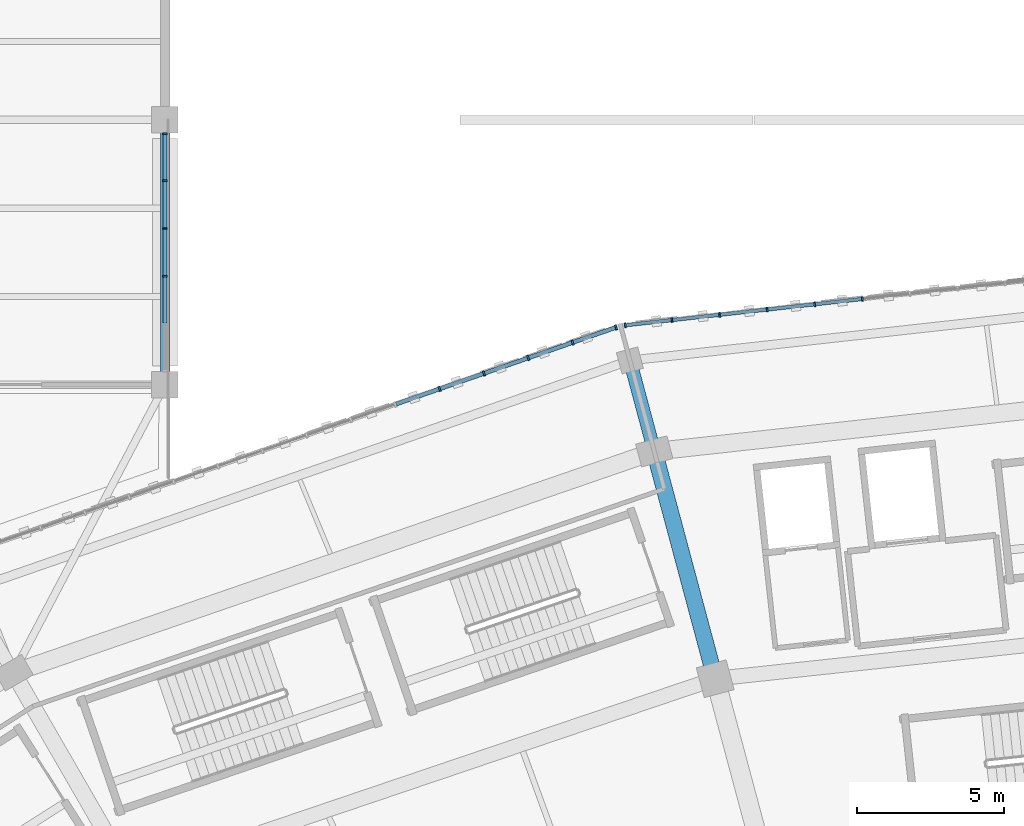
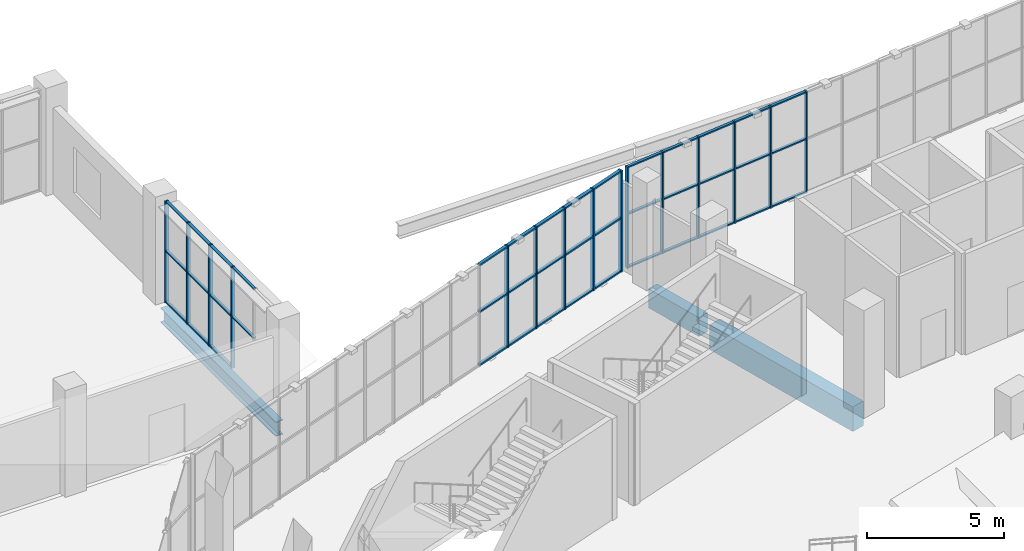
# One storey, part 56 of 183: 56 members, 3 beams, 3 elements without a shape of their own.
"""IFC4 building model written with IfcOpenShell, lengths in metres."""

from ifc_helpers import new_model, si_unit, direction, frame, origin, origin_2d, place, context, subcontext, project, spatial, rectangle, i_section, extrude, material, material_profile, profile_set, type_object, element, aggregate, save


model = new_model("IFC4")

# Units and contexts
model_context = context("Model", 3, precision=1e-05, world=origin(), true_north=direction((0.0, 1.0)))
body_context = subcontext(model_context, "Body", "Model", "MODEL_VIEW")
ifc_project = project(units=[si_unit("LENGTHUNIT", "METRE"), si_unit("AREAUNIT", "SQUARE_METRE"), si_unit("VOLUMEUNIT", "CUBIC_METRE"), si_unit("PLANEANGLEUNIT", "RADIAN"), si_unit("MASSUNIT", "GRAM", prefix="KILO")], contexts=[model_context])

# Site, building, storey
site_placement = place(None, origin())
site = spatial("IfcSite", under=ifc_project, at=site_placement, CompositionType="ELEMENT")
building_placement = place(site_placement, origin())
building = spatial("IfcBuilding", under=site, at=building_placement, Name="Zevraka Park Crest Stadium", CompositionType="ELEMENT")
storey_placement = place(building_placement, frame((0.0, 0.0, 5.39990234375)))
storey = spatial("IfcBuildingStorey", under=building, at=storey_placement, Name="L01", CompositionType="ELEMENT", Elevation=5.39990234375)

# Beams
ifc_material_1 = material(Name="Concrete C40/50", Category="concrete")
ifc_material_profile_1 = material_profile(ifc_material_1, rectangle(XDim=0.550048828125, YDim=1.10009765625, at=origin_2d()), Name="RC 1100x550")
ifc_profile_set_1 = profile_set([ifc_material_profile_1], Name="Concrete C40/50")
beam_type_1 = type_object("IfcBeamType", Name="BG02", PredefinedType="BEAM", material=ifc_profile_set_1)
beam_1_placement = place(storey_placement, frame((90.62109375, 157.297119140625, -0.559814453125), z_axis=(-0.258697599806, 0.965958359276, 0.0), x_axis=(-0.965958359276, -0.258697599806, 0.0)))
element("IfcBeam", 1, at=beam_1_placement, inside=storey, type_object=beam_type_1, Name="Radial Girder BG02 L01-CD-07", PredefinedType="BEAM", context=body_context, shape_type="SweptSolid", body=[
    extrude(rectangle(XDim=0.550048828125, YDim=1.10009765625, at=origin_2d()), origin(), (0.0, 0.0, 1.0), 7.39892578125),
])
ifc_material_2 = material(Name="Concrete C40/50", Category="concrete")
ifc_material_profile_2 = material_profile(ifc_material_2, rectangle(XDim=0.449951171875, YDim=0.85009765625, at=origin_2d()), Name="RC 850x450")
ifc_profile_set_2 = profile_set([ifc_material_profile_2], Name="Concrete C40/50")
beam_type_2 = type_object("IfcBeamType", Name="BG03", PredefinedType="BEAM", material=ifc_profile_set_2)
beam_2_placement = place(storey_placement, frame((88.551025390625, 165.02392578125, -0.434814453125), z_axis=(-0.258919157159, 0.965898995784, 0.0), x_axis=(-0.965898995784, -0.258919157159, 0.0)))
element("IfcBeam", 2, at=beam_2_placement, inside=storey, type_object=beam_type_2, Name="Radial Girder BG03 L01-DE-07", PredefinedType="BEAM", context=body_context, shape_type="SweptSolid", body=[
    extrude(rectangle(XDim=0.449951171875, YDim=0.85009765625, at=origin_2d()), origin(), (0.0, 0.0, 1.0), 2.599609375),
])
ifc_material_3 = material(Name="Steel S355", Category="steel")
ifc_material_profile_3 = material_profile(ifc_material_3, i_section(OverallWidth=0.300048828125, OverallDepth=0.64990234375, WebThickness=0.01611328125, FlangeThickness=0.031005859375, at=origin_2d()), Name="HEB 650")
ifc_profile_set_3 = profile_set([ifc_material_profile_3], Name="Steel S355")
beam_type_3 = type_object("IfcBeamType", Name="BG07", PredefinedType="BEAM", material=ifc_profile_set_3)
beam_3_placement = place(storey_placement, frame((72.0, 167.300048828125, -0.6328125), z_axis=(0.0, 1.0, 0.0), x_axis=(-1.0, 0.0, 0.0)))
element("IfcBeam", 3, at=beam_3_placement, inside=storey, type_object=beam_type_3, Name="Wing Girder BG07 L01-9/UV", PredefinedType="BEAM", context=body_context, shape_type="SweptSolid", body=[
    extrude(i_section(OverallWidth=0.300048828125, OverallDepth=0.64990234375, WebThickness=0.01611328125, FlangeThickness=0.031005859375, at=origin_2d()), origin(), (0.0, 0.0, 1.0), 8.39990234375),
])

# Curtain wall, members
ifc_material_4 = material(Name="Anodised architectural aluminium and laminated safety glass", Category="aluminium")
curtain_wall_type_1 = type_object("IfcCurtainWallType", Name="CW01", PredefinedType="NOTDEFINED", material=ifc_material_4)
curtain_wall_1_placement = place(storey_placement, origin())
curtain_wall_1 = element("IfcCurtainWall", 4, at=curtain_wall_1_placement, inside=storey, type_object=curtain_wall_type_1, Name="Unitised Ring Curtain Wall CW01 L01-06", PredefinedType="NOTDEFINED")
ifc_material_5 = material(Name="Anodised architectural aluminium", Category="aluminium")
ifc_material_profile_4 = material_profile(ifc_material_5, rectangle(XDim=0.159912109375, YDim=0.06005859375, at=origin_2d()), Name="ALU MULLION 160x60")
ifc_profile_set_4 = profile_set([ifc_material_profile_4], Name="Anodised architectural aluminium")
member_type_1 = type_object("IfcMemberType", Name="CM01", PredefinedType="MULLION", material=ifc_profile_set_4)
member_1_placement = place(storey_placement, frame((95.697998046875, 169.9130859375, 0.0), z_axis=(0.0, 0.0, 1.0), x_axis=(0.110134718639, -0.993916668414, 0.0)))
member_1 = element("IfcMember", 5, at=member_1_placement, type_object=member_type_1, Name="CW01 mullion 11", PredefinedType="MULLION", context=body_context, shape_type="SweptSolid", body=[
    extrude(rectangle(XDim=0.159912109375, YDim=0.06005859375, at=origin_2d()), origin(), (0.0, 0.0, 1.0), 4.52001953125),
])
member_2_placement = place(storey_placement, frame((94.080810546875, 169.73388671875, 0.0), z_axis=(0.0, 0.0, 1.0), x_axis=(0.110134718639, -0.993916668414, 0.0)))
member_2 = element("IfcMember", 6, at=member_2_placement, type_object=member_type_1, Name="CW01 mullion 12", PredefinedType="MULLION", context=body_context, shape_type="SweptSolid", body=[
    extrude(rectangle(XDim=0.159912109375, YDim=0.06005859375, at=origin_2d()), origin(), (0.0, 0.0, 1.0), 4.52001953125),
])
member_3_placement = place(storey_placement, frame((92.463623046875, 169.5546875, 0.0), z_axis=(0.0, 0.0, 1.0), x_axis=(0.110134718639, -0.993916668414, 0.0)))
member_3 = element("IfcMember", 7, at=member_3_placement, type_object=member_type_1, Name="CW01 mullion 13", PredefinedType="MULLION", context=body_context, shape_type="SweptSolid", body=[
    extrude(rectangle(XDim=0.159912109375, YDim=0.06005859375, at=origin_2d()), origin(), (0.0, 0.0, 1.0), 4.52001953125),
])
member_4_placement = place(storey_placement, frame((90.846435546875, 169.37548828125, 0.0), z_axis=(0.0, 0.0, 1.0), x_axis=(0.110134718639, -0.993916668414, 0.0)))
member_4 = element("IfcMember", 8, at=member_4_placement, type_object=member_type_1, Name="CW01 mullion 14", PredefinedType="MULLION", context=body_context, shape_type="SweptSolid", body=[
    extrude(rectangle(XDim=0.159912109375, YDim=0.06005859375, at=origin_2d()), origin(), (0.0, 0.0, 1.0), 4.52001953125),
])
member_5_placement = place(storey_placement, frame((89.229248046875, 169.1962890625, 0.0), z_axis=(0.0, 0.0, 1.0), x_axis=(0.110134718639, -0.993916668414, 0.0)))
member_5 = element("IfcMember", 9, at=member_5_placement, type_object=member_type_1, Name="CW01 mullion 15", PredefinedType="MULLION", context=body_context, shape_type="SweptSolid", body=[
    extrude(rectangle(XDim=0.159912109375, YDim=0.06005859375, at=origin_2d()), origin(), (0.0, 0.0, 1.0), 4.52001953125),
])
member_6_placement = place(storey_placement, frame((87.641845703125, 169.020263671875, 0.0), z_axis=(0.0, 0.0, 1.0), x_axis=(0.110134718639, -0.993916668414, 0.0)))
member_6 = element("IfcMember", 10, at=member_6_placement, type_object=member_type_1, Name="CW01 mullion 16", PredefinedType="MULLION", context=body_context, shape_type="SweptSolid", body=[
    extrude(rectangle(XDim=0.159912109375, YDim=0.06005859375, at=origin_2d()), origin(), (0.0, 0.0, 1.0), 4.52001953125),
])

ifc_material_6 = material(Name="Anodised architectural aluminium and laminated safety glass", Category="aluminium")
curtain_wall_type_2 = type_object("IfcCurtainWallType", Name="CW28", PredefinedType="NOTDEFINED", material=ifc_material_6)
curtain_wall_2_placement = place(storey_placement, origin())
curtain_wall_2 = element("IfcCurtainWall", 11, at=curtain_wall_2_placement, inside=storey, type_object=curtain_wall_type_2, Name="Wing Curtain Wall CW28 L01-NW-E1-2", PredefinedType="NOTDEFINED")
member_7_placement = place(storey_placement, frame((72.0, 175.530029296875, 0.0), z_axis=(0.0, 0.0, 1.0), x_axis=(1.0, 0.0, 0.0)))
member_7 = element("IfcMember", 12, at=member_7_placement, type_object=member_type_1, Name="CW28 mullion 1", PredefinedType="MULLION", context=body_context, shape_type="SweptSolid", body=[
    extrude(rectangle(XDim=0.159912109375, YDim=0.06005859375, at=origin_2d()), origin(), (0.0, 0.0, 1.0), 4.52001953125),
])
member_8_placement = place(storey_placement, frame((72.0, 173.93603515625, 0.0), z_axis=(0.0, 0.0, 1.0), x_axis=(1.0, 0.0, 0.0)))
member_8 = element("IfcMember", 13, at=member_8_placement, type_object=member_type_1, Name="CW28 mullion 2", PredefinedType="MULLION", context=body_context, shape_type="SweptSolid", body=[
    extrude(rectangle(XDim=0.159912109375, YDim=0.06005859375, at=origin_2d()), origin(), (0.0, 0.0, 1.0), 4.52001953125),
])
member_9_placement = place(storey_placement, frame((72.0, 172.31201171875, 0.0), z_axis=(0.0, 0.0, 1.0), x_axis=(1.0, 0.0, 0.0)))
member_9 = element("IfcMember", 14, at=member_9_placement, type_object=member_type_1, Name="CW28 mullion 3", PredefinedType="MULLION", context=body_context, shape_type="SweptSolid", body=[
    extrude(rectangle(XDim=0.159912109375, YDim=0.06005859375, at=origin_2d()), origin(), (0.0, 0.0, 1.0), 4.52001953125),
])
member_10_placement = place(storey_placement, frame((72.0, 170.68798828125, 0.0), z_axis=(0.0, 0.0, 1.0), x_axis=(1.0, 0.0, 0.0)))
member_10 = element("IfcMember", 15, at=member_10_placement, type_object=member_type_1, Name="CW28 mullion 4", PredefinedType="MULLION", context=body_context, shape_type="SweptSolid", body=[
    extrude(rectangle(XDim=0.159912109375, YDim=0.06005859375, at=origin_2d()), origin(), (0.0, 0.0, 1.0), 4.52001953125),
])

ifc_material_7 = material(Name="Anodised architectural aluminium and laminated safety glass", Category="aluminium")
curtain_wall_type_3 = type_object("IfcCurtainWallType", Name="CW02", PredefinedType="NOTDEFINED", material=ifc_material_7)
curtain_wall_3_placement = place(storey_placement, origin())
curtain_wall_3 = element("IfcCurtainWall", 16, at=curtain_wall_3_placement, inside=storey, type_object=curtain_wall_type_3, Name="Unitised Ring Curtain Wall CW02 L01-07", PredefinedType="NOTDEFINED")
ifc_material_8 = material(Name="Anodised architectural aluminium", Category="aluminium")
ifc_material_profile_5 = material_profile(ifc_material_8, rectangle(XDim=0.179931640625, YDim=0.06494140625, at=origin_2d()), Name="ALU MULLION 180x65")
ifc_profile_set_5 = profile_set([ifc_material_profile_5], Name="Anodised architectural aluminium")
member_type_2 = type_object("IfcMemberType", Name="CM02", PredefinedType="MULLION", material=ifc_profile_set_5)
member_11_placement = place(storey_placement, frame((87.327392578125, 168.9482421875, 0.0), z_axis=(0.0, 0.0, 1.0), x_axis=(0.329209289879, -0.944256979565, 0.0)))
member_11 = element("IfcMember", 17, at=member_11_placement, type_object=member_type_2, Name="CW02 mullion 1", PredefinedType="MULLION", context=body_context, shape_type="SweptSolid", body=[
    extrude(rectangle(XDim=0.179931640625, YDim=0.06494140625, at=origin_2d()), origin(), (0.0, 0.0, 1.0), 4.52001953125),
])
member_12_placement = place(storey_placement, frame((85.851318359375, 168.433837890625, 0.0), z_axis=(0.0, 0.0, 1.0), x_axis=(0.329209289879, -0.944256979565, 0.0)))
member_12 = element("IfcMember", 18, at=member_12_placement, type_object=member_type_2, Name="CW02 mullion 2", PredefinedType="MULLION", context=body_context, shape_type="SweptSolid", body=[
    extrude(rectangle(XDim=0.179931640625, YDim=0.06494140625, at=origin_2d()), origin(), (0.0, 0.0, 1.0), 4.52001953125),
])
member_13_placement = place(storey_placement, frame((84.3447265625, 167.908447265625, 0.0), z_axis=(0.0, 0.0, 1.0), x_axis=(0.329209289879, -0.944256979565, 0.0)))
member_13 = element("IfcMember", 19, at=member_13_placement, type_object=member_type_2, Name="CW02 mullion 3", PredefinedType="MULLION", context=body_context, shape_type="SweptSolid", body=[
    extrude(rectangle(XDim=0.179931640625, YDim=0.06494140625, at=origin_2d()), origin(), (0.0, 0.0, 1.0), 4.52001953125),
])
member_14_placement = place(storey_placement, frame((82.838134765625, 167.38330078125, 0.0), z_axis=(0.0, 0.0, 1.0), x_axis=(0.329209289879, -0.944256979565, 0.0)))
member_14 = element("IfcMember", 20, at=member_14_placement, type_object=member_type_2, Name="CW02 mullion 4", PredefinedType="MULLION", context=body_context, shape_type="SweptSolid", body=[
    extrude(rectangle(XDim=0.179931640625, YDim=0.06494140625, at=origin_2d()), origin(), (0.0, 0.0, 1.0), 4.52001953125),
])
member_15_placement = place(storey_placement, frame((81.33154296875, 166.85791015625, 0.0), z_axis=(0.0, 0.0, 1.0), x_axis=(0.329209289879, -0.944256979565, 0.0)))
member_15 = element("IfcMember", 21, at=member_15_placement, type_object=member_type_2, Name="CW02 mullion 5", PredefinedType="MULLION", context=body_context, shape_type="SweptSolid", body=[
    extrude(rectangle(XDim=0.179931640625, YDim=0.06494140625, at=origin_2d()), origin(), (0.0, 0.0, 1.0), 4.52001953125),
])

# Member
ifc_material_9 = material(Name="Anodised architectural aluminium", Category="aluminium")
ifc_material_profile_6 = material_profile(ifc_material_9, rectangle(XDim=0.1201171875, YDim=0.06005859375, at=origin_2d()), Name="ALU TRANSOM 120x60")
ifc_profile_set_6 = profile_set([ifc_material_profile_6], Name="Anodised architectural aluminium")
member_type_3 = type_object("IfcMemberType", Name="CT01", PredefinedType="USERDEFINED", material=ifc_profile_set_6)
member_16_placement = place(storey_placement, frame((95.668212890625, 169.90966796875, 0.030029296875), z_axis=(-0.993915989308, -0.110140847091, 0.0), x_axis=(0.110140847091, -0.993915989308, 0.0)))
member_16 = element("IfcMember", 22, at=member_16_placement, type_object=member_type_3, Name="CW01 transom 11.1", ObjectType="TRANSOM", PredefinedType="USERDEFINED", context=body_context, shape_type="SweptSolid", body=[
    extrude(rectangle(XDim=0.1201171875, YDim=0.06005859375, at=origin_2d()), origin(), (0.0, 0.0, 1.0), 1.567138671875),
])

member_17_placement = place(storey_placement, frame((95.668212890625, 169.90966796875, 2.400146484375), z_axis=(-0.993915989308, -0.110140847091, 0.0), x_axis=(0.110140847091, -0.993915989308, 0.0)))
member_17 = element("IfcMember", 23, at=member_17_placement, type_object=member_type_3, Name="CW01 transom 11.2", ObjectType="TRANSOM", PredefinedType="USERDEFINED", context=body_context, shape_type="SweptSolid", body=[
    extrude(rectangle(XDim=0.1201171875, YDim=0.06005859375, at=origin_2d()), origin(), (0.0, 0.0, 1.0), 1.567138671875),
])

member_18_placement = place(storey_placement, frame((95.668212890625, 169.90966796875, 4.489990234375), z_axis=(-0.993915989308, -0.110140847091, 0.0), x_axis=(0.110140847091, -0.993915989308, 0.0)))
member_18 = element("IfcMember", 24, at=member_18_placement, type_object=member_type_3, Name="CW01 transom 11.3", ObjectType="TRANSOM", PredefinedType="USERDEFINED", context=body_context, shape_type="SweptSolid", body=[
    extrude(rectangle(XDim=0.1201171875, YDim=0.06005859375, at=origin_2d()), origin(), (0.0, 0.0, 1.0), 1.567138671875),
])

member_19_placement = place(storey_placement, frame((94.051025390625, 169.73046875, 0.030029296875), z_axis=(-0.993915989308, -0.110140847091, 0.0), x_axis=(0.110140847091, -0.993915989308, 0.0)))
member_19 = element("IfcMember", 25, at=member_19_placement, type_object=member_type_3, Name="CW01 transom 12.1", ObjectType="TRANSOM", PredefinedType="USERDEFINED", context=body_context, shape_type="SweptSolid", body=[
    extrude(rectangle(XDim=0.1201171875, YDim=0.06005859375, at=origin_2d()), origin(), (0.0, 0.0, 1.0), 1.567138671875),
])

member_20_placement = place(storey_placement, frame((94.051025390625, 169.73046875, 2.400146484375), z_axis=(-0.993915989308, -0.110140847091, 0.0), x_axis=(0.110140847091, -0.993915989308, 0.0)))
member_20 = element("IfcMember", 26, at=member_20_placement, type_object=member_type_3, Name="CW01 transom 12.2", ObjectType="TRANSOM", PredefinedType="USERDEFINED", context=body_context, shape_type="SweptSolid", body=[
    extrude(rectangle(XDim=0.1201171875, YDim=0.06005859375, at=origin_2d()), origin(), (0.0, 0.0, 1.0), 1.567138671875),
])

member_21_placement = place(storey_placement, frame((94.051025390625, 169.73046875, 4.489990234375), z_axis=(-0.993915989308, -0.110140847091, 0.0), x_axis=(0.110140847091, -0.993915989308, 0.0)))
member_21 = element("IfcMember", 27, at=member_21_placement, type_object=member_type_3, Name="CW01 transom 12.3", ObjectType="TRANSOM", PredefinedType="USERDEFINED", context=body_context, shape_type="SweptSolid", body=[
    extrude(rectangle(XDim=0.1201171875, YDim=0.06005859375, at=origin_2d()), origin(), (0.0, 0.0, 1.0), 1.567138671875),
])

member_22_placement = place(storey_placement, frame((92.433837890625, 169.55126953125, 0.030029296875), z_axis=(-0.993915989308, -0.110140847091, 0.0), x_axis=(0.110140847091, -0.993915989308, 0.0)))
member_22 = element("IfcMember", 28, at=member_22_placement, type_object=member_type_3, Name="CW01 transom 13.1", ObjectType="TRANSOM", PredefinedType="USERDEFINED", context=body_context, shape_type="SweptSolid", body=[
    extrude(rectangle(XDim=0.1201171875, YDim=0.06005859375, at=origin_2d()), origin(), (0.0, 0.0, 1.0), 1.567138671875),
])

member_23_placement = place(storey_placement, frame((92.433837890625, 169.55126953125, 2.400146484375), z_axis=(-0.993915989308, -0.110140847091, 0.0), x_axis=(0.110140847091, -0.993915989308, 0.0)))
member_23 = element("IfcMember", 29, at=member_23_placement, type_object=member_type_3, Name="CW01 transom 13.2", ObjectType="TRANSOM", PredefinedType="USERDEFINED", context=body_context, shape_type="SweptSolid", body=[
    extrude(rectangle(XDim=0.1201171875, YDim=0.06005859375, at=origin_2d()), origin(), (0.0, 0.0, 1.0), 1.567138671875),
])

member_24_placement = place(storey_placement, frame((92.433837890625, 169.55126953125, 4.489990234375), z_axis=(-0.993915989308, -0.110140847091, 0.0), x_axis=(0.110140847091, -0.993915989308, 0.0)))
member_24 = element("IfcMember", 30, at=member_24_placement, type_object=member_type_3, Name="CW01 transom 13.3", ObjectType="TRANSOM", PredefinedType="USERDEFINED", context=body_context, shape_type="SweptSolid", body=[
    extrude(rectangle(XDim=0.1201171875, YDim=0.06005859375, at=origin_2d()), origin(), (0.0, 0.0, 1.0), 1.567138671875),
])

member_25_placement = place(storey_placement, frame((90.816650390625, 169.3720703125, 0.030029296875), z_axis=(-0.993915989308, -0.110140847091, 0.0), x_axis=(0.110140847091, -0.993915989308, 0.0)))
member_25 = element("IfcMember", 31, at=member_25_placement, type_object=member_type_3, Name="CW01 transom 14.1", ObjectType="TRANSOM", PredefinedType="USERDEFINED", context=body_context, shape_type="SweptSolid", body=[
    extrude(rectangle(XDim=0.1201171875, YDim=0.06005859375, at=origin_2d()), origin(), (0.0, 0.0, 1.0), 1.567138671875),
])

member_26_placement = place(storey_placement, frame((90.816650390625, 169.3720703125, 2.400146484375), z_axis=(-0.993915989308, -0.110140847091, 0.0), x_axis=(0.110140847091, -0.993915989308, 0.0)))
member_26 = element("IfcMember", 32, at=member_26_placement, type_object=member_type_3, Name="CW01 transom 14.2", ObjectType="TRANSOM", PredefinedType="USERDEFINED", context=body_context, shape_type="SweptSolid", body=[
    extrude(rectangle(XDim=0.1201171875, YDim=0.06005859375, at=origin_2d()), origin(), (0.0, 0.0, 1.0), 1.567138671875),
])

member_27_placement = place(storey_placement, frame((90.816650390625, 169.3720703125, 4.489990234375), z_axis=(-0.993915989308, -0.110140847091, 0.0), x_axis=(0.110140847091, -0.993915989308, 0.0)))
member_27 = element("IfcMember", 33, at=member_27_placement, type_object=member_type_3, Name="CW01 transom 14.3", ObjectType="TRANSOM", PredefinedType="USERDEFINED", context=body_context, shape_type="SweptSolid", body=[
    extrude(rectangle(XDim=0.1201171875, YDim=0.06005859375, at=origin_2d()), origin(), (0.0, 0.0, 1.0), 1.567138671875),
])

member_28_placement = place(storey_placement, frame((89.199462890625, 169.19287109375, 0.030029296875), z_axis=(-0.99392434185, -0.110065447252, 0.0), x_axis=(0.110065447252, -0.99392434185, 0.0)))
member_28 = element("IfcMember", 34, at=member_28_placement, type_object=member_type_3, Name="CW01 transom 15.1", ObjectType="TRANSOM", PredefinedType="USERDEFINED", context=body_context, shape_type="SweptSolid", body=[
    extrude(rectangle(XDim=0.1201171875, YDim=0.06005859375, at=origin_2d()), origin(), (0.0, 0.0, 1.0), 1.537109375),
])

member_29_placement = place(storey_placement, frame((89.199462890625, 169.19287109375, 2.400146484375), z_axis=(-0.99392434185, -0.110065447252, 0.0), x_axis=(0.110065447252, -0.99392434185, 0.0)))
member_29 = element("IfcMember", 35, at=member_29_placement, type_object=member_type_3, Name="CW01 transom 15.2", ObjectType="TRANSOM", PredefinedType="USERDEFINED", context=body_context, shape_type="SweptSolid", body=[
    extrude(rectangle(XDim=0.1201171875, YDim=0.06005859375, at=origin_2d()), origin(), (0.0, 0.0, 1.0), 1.537109375),
])

member_30_placement = place(storey_placement, frame((89.199462890625, 169.19287109375, 4.489990234375), z_axis=(-0.99392434185, -0.110065447252, 0.0), x_axis=(0.110065447252, -0.99392434185, 0.0)))
member_30 = element("IfcMember", 36, at=member_30_placement, type_object=member_type_3, Name="CW01 transom 15.3", ObjectType="TRANSOM", PredefinedType="USERDEFINED", context=body_context, shape_type="SweptSolid", body=[
    extrude(rectangle(XDim=0.1201171875, YDim=0.06005859375, at=origin_2d()), origin(), (0.0, 0.0, 1.0), 1.537109375),
])

aggregate(curtain_wall_1, [member_1, member_2, member_3, member_4, member_5, member_6, member_16, member_17, member_18, member_19, member_20, member_21, member_22, member_23, member_24, member_25, member_26, member_27, member_28, member_29, member_30])

member_31_placement = place(storey_placement, frame((72.0, 175.5, 0.030029296875), z_axis=(0.0, -1.0, 0.0), x_axis=(1.0, 0.0, 0.0)))
member_31 = element("IfcMember", 37, at=member_31_placement, type_object=member_type_3, Name="CW28 transom 1.1", ObjectType="TRANSOM", PredefinedType="USERDEFINED", context=body_context, shape_type="SweptSolid", body=[
    extrude(rectangle(XDim=0.1201171875, YDim=0.06005859375, at=origin_2d()), origin(), (0.0, 0.0, 1.0), 1.533935546875),
])

member_32_placement = place(storey_placement, frame((72.0, 175.5, 2.300048828125), z_axis=(0.0, -1.0, 0.0), x_axis=(1.0, 0.0, 0.0)))
member_32 = element("IfcMember", 38, at=member_32_placement, type_object=member_type_3, Name="CW28 transom 1.2", ObjectType="TRANSOM", PredefinedType="USERDEFINED", context=body_context, shape_type="SweptSolid", body=[
    extrude(rectangle(XDim=0.1201171875, YDim=0.06005859375, at=origin_2d()), origin(), (0.0, 0.0, 1.0), 1.533935546875),
])

member_33_placement = place(storey_placement, frame((72.0, 175.5, 4.489990234375), z_axis=(0.0, -1.0, 0.0), x_axis=(1.0, 0.0, 0.0)))
member_33 = element("IfcMember", 39, at=member_33_placement, type_object=member_type_3, Name="CW28 transom 1.3", ObjectType="TRANSOM", PredefinedType="USERDEFINED", context=body_context, shape_type="SweptSolid", body=[
    extrude(rectangle(XDim=0.1201171875, YDim=0.06005859375, at=origin_2d()), origin(), (0.0, 0.0, 1.0), 1.533935546875),
])

member_34_placement = place(storey_placement, frame((72.0, 173.906005859375, 0.030029296875), z_axis=(0.0, -1.0, 0.0), x_axis=(1.0, 0.0, 0.0)))
member_34 = element("IfcMember", 40, at=member_34_placement, type_object=member_type_3, Name="CW28 transom 2.1", ObjectType="TRANSOM", PredefinedType="USERDEFINED", context=body_context, shape_type="SweptSolid", body=[
    extrude(rectangle(XDim=0.1201171875, YDim=0.06005859375, at=origin_2d()), origin(), (0.0, 0.0, 1.0), 1.56396484375),
])

member_35_placement = place(storey_placement, frame((72.0, 173.906005859375, 2.300048828125), z_axis=(0.0, -1.0, 0.0), x_axis=(1.0, 0.0, 0.0)))
member_35 = element("IfcMember", 41, at=member_35_placement, type_object=member_type_3, Name="CW28 transom 2.2", ObjectType="TRANSOM", PredefinedType="USERDEFINED", context=body_context, shape_type="SweptSolid", body=[
    extrude(rectangle(XDim=0.1201171875, YDim=0.06005859375, at=origin_2d()), origin(), (0.0, 0.0, 1.0), 1.56396484375),
])

member_36_placement = place(storey_placement, frame((72.0, 173.906005859375, 4.489990234375), z_axis=(0.0, -1.0, 0.0), x_axis=(1.0, 0.0, 0.0)))
member_36 = element("IfcMember", 42, at=member_36_placement, type_object=member_type_3, Name="CW28 transom 2.3", ObjectType="TRANSOM", PredefinedType="USERDEFINED", context=body_context, shape_type="SweptSolid", body=[
    extrude(rectangle(XDim=0.1201171875, YDim=0.06005859375, at=origin_2d()), origin(), (0.0, 0.0, 1.0), 1.56396484375),
])

member_37_placement = place(storey_placement, frame((72.0, 172.281982421875, 0.030029296875), z_axis=(0.0, -1.0, 0.0), x_axis=(1.0, 0.0, 0.0)))
member_37 = element("IfcMember", 43, at=member_37_placement, type_object=member_type_3, Name="CW28 transom 3.1", ObjectType="TRANSOM", PredefinedType="USERDEFINED", context=body_context, shape_type="SweptSolid", body=[
    extrude(rectangle(XDim=0.1201171875, YDim=0.06005859375, at=origin_2d()), origin(), (0.0, 0.0, 1.0), 1.56396484375),
])

member_38_placement = place(storey_placement, frame((72.0, 172.281982421875, 2.300048828125), z_axis=(0.0, -1.0, 0.0), x_axis=(1.0, 0.0, 0.0)))
member_38 = element("IfcMember", 44, at=member_38_placement, type_object=member_type_3, Name="CW28 transom 3.2", ObjectType="TRANSOM", PredefinedType="USERDEFINED", context=body_context, shape_type="SweptSolid", body=[
    extrude(rectangle(XDim=0.1201171875, YDim=0.06005859375, at=origin_2d()), origin(), (0.0, 0.0, 1.0), 1.56396484375),
])

member_39_placement = place(storey_placement, frame((72.0, 172.281982421875, 4.489990234375), z_axis=(0.0, -1.0, 0.0), x_axis=(1.0, 0.0, 0.0)))
member_39 = element("IfcMember", 45, at=member_39_placement, type_object=member_type_3, Name="CW28 transom 3.3", ObjectType="TRANSOM", PredefinedType="USERDEFINED", context=body_context, shape_type="SweptSolid", body=[
    extrude(rectangle(XDim=0.1201171875, YDim=0.06005859375, at=origin_2d()), origin(), (0.0, 0.0, 1.0), 1.56396484375),
])

member_40_placement = place(storey_placement, frame((72.0, 170.657958984375, 2.300048828125), z_axis=(0.0, -1.0, 0.0), x_axis=(1.0, 0.0, 0.0)))
member_40 = element("IfcMember", 46, at=member_40_placement, type_object=member_type_3, Name="CW28 transom 4.2", ObjectType="TRANSOM", PredefinedType="USERDEFINED", context=body_context, shape_type="SweptSolid", body=[
    extrude(rectangle(XDim=0.1201171875, YDim=0.06005859375, at=origin_2d()), origin(), (0.0, 0.0, 1.0), 1.56396484375),
])

member_41_placement = place(storey_placement, frame((72.0, 170.657958984375, 4.489990234375), z_axis=(0.0, -1.0, 0.0), x_axis=(1.0, 0.0, 0.0)))
member_41 = element("IfcMember", 47, at=member_41_placement, type_object=member_type_3, Name="CW28 transom 4.3", ObjectType="TRANSOM", PredefinedType="USERDEFINED", context=body_context, shape_type="SweptSolid", body=[
    extrude(rectangle(XDim=0.1201171875, YDim=0.06005859375, at=origin_2d()), origin(), (0.0, 0.0, 1.0), 1.56396484375),
])

aggregate(curtain_wall_2, [member_7, member_8, member_9, member_10, member_31, member_32, member_33, member_34, member_35, member_36, member_37, member_38, member_39, member_40, member_41])

ifc_material_10 = material(Name="Anodised architectural aluminium", Category="aluminium")
ifc_material_profile_7 = material_profile(ifc_material_10, rectangle(XDim=0.139892578125, YDim=0.06494140625, at=origin_2d()), Name="ALU TRANSOM 140x65")
ifc_profile_set_7 = profile_set([ifc_material_profile_7], Name="Anodised architectural aluminium")
member_type_4 = type_object("IfcMemberType", Name="CT02", PredefinedType="USERDEFINED", material=ifc_profile_set_7)
member_42_placement = place(storey_placement, frame((87.296630859375, 168.9375, 0.03271484375), z_axis=(-0.944259100234, -0.329203207192, 0.0), x_axis=(0.329203207192, -0.944259100234, 0.0)))
member_42 = element("IfcMember", 48, at=member_42_placement, type_object=member_type_4, Name="CW02 transom 1.1", ObjectType="TRANSOM", PredefinedType="USERDEFINED", context=body_context, shape_type="SweptSolid", body=[
    extrude(rectangle(XDim=0.139892578125, YDim=0.06494140625, at=origin_2d()), origin(), (0.0, 0.0, 1.0), 1.498046875),
])

member_43_placement = place(storey_placement, frame((87.296630859375, 168.9375, 2.400146484375), z_axis=(-0.944259100234, -0.329203207192, 0.0), x_axis=(0.329203207192, -0.944259100234, 0.0)))
member_43 = element("IfcMember", 49, at=member_43_placement, type_object=member_type_4, Name="CW02 transom 1.2", ObjectType="TRANSOM", PredefinedType="USERDEFINED", context=body_context, shape_type="SweptSolid", body=[
    extrude(rectangle(XDim=0.139892578125, YDim=0.06494140625, at=origin_2d()), origin(), (0.0, 0.0, 1.0), 1.498046875),
])

member_44_placement = place(storey_placement, frame((87.296630859375, 168.9375, 4.487548828125), z_axis=(-0.944259100234, -0.329203207192, 0.0), x_axis=(0.329203207192, -0.944259100234, 0.0)))
member_44 = element("IfcMember", 50, at=member_44_placement, type_object=member_type_4, Name="CW02 transom 1.3", ObjectType="TRANSOM", PredefinedType="USERDEFINED", context=body_context, shape_type="SweptSolid", body=[
    extrude(rectangle(XDim=0.139892578125, YDim=0.06494140625, at=origin_2d()), origin(), (0.0, 0.0, 1.0), 1.498046875),
])

member_45_placement = place(storey_placement, frame((85.82080078125, 168.423095703125, 0.03271484375), z_axis=(-0.944255540278, -0.329213418097, 0.0), x_axis=(0.329213418097, -0.944255540278, 0.0)))
member_45 = element("IfcMember", 51, at=member_45_placement, type_object=member_type_4, Name="CW02 transom 2.1", ObjectType="TRANSOM", PredefinedType="USERDEFINED", context=body_context, shape_type="SweptSolid", body=[
    extrude(rectangle(XDim=0.139892578125, YDim=0.06494140625, at=origin_2d()), origin(), (0.0, 0.0, 1.0), 1.530517578125),
])

member_46_placement = place(storey_placement, frame((85.82080078125, 168.423095703125, 2.400146484375), z_axis=(-0.944255540278, -0.329213418097, 0.0), x_axis=(0.329213418097, -0.944255540278, 0.0)))
member_46 = element("IfcMember", 52, at=member_46_placement, type_object=member_type_4, Name="CW02 transom 2.2", ObjectType="TRANSOM", PredefinedType="USERDEFINED", context=body_context, shape_type="SweptSolid", body=[
    extrude(rectangle(XDim=0.139892578125, YDim=0.06494140625, at=origin_2d()), origin(), (0.0, 0.0, 1.0), 1.530517578125),
])

member_47_placement = place(storey_placement, frame((85.82080078125, 168.423095703125, 4.487548828125), z_axis=(-0.944255540278, -0.329213418097, 0.0), x_axis=(0.329213418097, -0.944255540278, 0.0)))
member_47 = element("IfcMember", 53, at=member_47_placement, type_object=member_type_4, Name="CW02 transom 2.3", ObjectType="TRANSOM", PredefinedType="USERDEFINED", context=body_context, shape_type="SweptSolid", body=[
    extrude(rectangle(XDim=0.139892578125, YDim=0.06494140625, at=origin_2d()), origin(), (0.0, 0.0, 1.0), 1.530517578125),
])

member_48_placement = place(storey_placement, frame((84.314208984375, 167.897705078125, 0.03271484375), z_axis=(-0.944255540278, -0.329213418097, 0.0), x_axis=(0.329213418097, -0.944255540278, 0.0)))
member_48 = element("IfcMember", 54, at=member_48_placement, type_object=member_type_4, Name="CW02 transom 3.1", ObjectType="TRANSOM", PredefinedType="USERDEFINED", context=body_context, shape_type="SweptSolid", body=[
    extrude(rectangle(XDim=0.139892578125, YDim=0.06494140625, at=origin_2d()), origin(), (0.0, 0.0, 1.0), 1.530517578125),
])

member_49_placement = place(storey_placement, frame((84.314208984375, 167.897705078125, 2.400146484375), z_axis=(-0.944255540278, -0.329213418097, 0.0), x_axis=(0.329213418097, -0.944255540278, 0.0)))
member_49 = element("IfcMember", 55, at=member_49_placement, type_object=member_type_4, Name="CW02 transom 3.2", ObjectType="TRANSOM", PredefinedType="USERDEFINED", context=body_context, shape_type="SweptSolid", body=[
    extrude(rectangle(XDim=0.139892578125, YDim=0.06494140625, at=origin_2d()), origin(), (0.0, 0.0, 1.0), 1.530517578125),
])

member_50_placement = place(storey_placement, frame((84.314208984375, 167.897705078125, 4.487548828125), z_axis=(-0.944255540278, -0.329213418097, 0.0), x_axis=(0.329213418097, -0.944255540278, 0.0)))
member_50 = element("IfcMember", 56, at=member_50_placement, type_object=member_type_4, Name="CW02 transom 3.3", ObjectType="TRANSOM", PredefinedType="USERDEFINED", context=body_context, shape_type="SweptSolid", body=[
    extrude(rectangle(XDim=0.139892578125, YDim=0.06494140625, at=origin_2d()), origin(), (0.0, 0.0, 1.0), 1.530517578125),
])

member_51_placement = place(storey_placement, frame((82.8076171875, 167.37255859375, 0.03271484375), z_axis=(-0.944255540278, -0.329213418097, 0.0), x_axis=(0.329213418097, -0.944255540278, 0.0)))
member_51 = element("IfcMember", 57, at=member_51_placement, type_object=member_type_4, Name="CW02 transom 4.1", ObjectType="TRANSOM", PredefinedType="USERDEFINED", context=body_context, shape_type="SweptSolid", body=[
    extrude(rectangle(XDim=0.139892578125, YDim=0.06494140625, at=origin_2d()), origin(), (0.0, 0.0, 1.0), 1.530517578125),
])

member_52_placement = place(storey_placement, frame((82.8076171875, 167.37255859375, 2.400146484375), z_axis=(-0.944255540278, -0.329213418097, 0.0), x_axis=(0.329213418097, -0.944255540278, 0.0)))
member_52 = element("IfcMember", 58, at=member_52_placement, type_object=member_type_4, Name="CW02 transom 4.2", ObjectType="TRANSOM", PredefinedType="USERDEFINED", context=body_context, shape_type="SweptSolid", body=[
    extrude(rectangle(XDim=0.139892578125, YDim=0.06494140625, at=origin_2d()), origin(), (0.0, 0.0, 1.0), 1.530517578125),
])

member_53_placement = place(storey_placement, frame((82.8076171875, 167.37255859375, 4.487548828125), z_axis=(-0.944255540278, -0.329213418097, 0.0), x_axis=(0.329213418097, -0.944255540278, 0.0)))
member_53 = element("IfcMember", 59, at=member_53_placement, type_object=member_type_4, Name="CW02 transom 4.3", ObjectType="TRANSOM", PredefinedType="USERDEFINED", context=body_context, shape_type="SweptSolid", body=[
    extrude(rectangle(XDim=0.139892578125, YDim=0.06494140625, at=origin_2d()), origin(), (0.0, 0.0, 1.0), 1.530517578125),
])

member_54_placement = place(storey_placement, frame((81.301025390625, 166.84716796875, 0.03271484375), z_axis=(-0.944255540278, -0.329213418097, 0.0), x_axis=(0.329213418097, -0.944255540278, 0.0)))
member_54 = element("IfcMember", 60, at=member_54_placement, type_object=member_type_4, Name="CW02 transom 5.1", ObjectType="TRANSOM", PredefinedType="USERDEFINED", context=body_context, shape_type="SweptSolid", body=[
    extrude(rectangle(XDim=0.139892578125, YDim=0.06494140625, at=origin_2d()), origin(), (0.0, 0.0, 1.0), 1.530517578125),
])

member_55_placement = place(storey_placement, frame((81.301025390625, 166.84716796875, 2.400146484375), z_axis=(-0.944255540278, -0.329213418097, 0.0), x_axis=(0.329213418097, -0.944255540278, 0.0)))
member_55 = element("IfcMember", 61, at=member_55_placement, type_object=member_type_4, Name="CW02 transom 5.2", ObjectType="TRANSOM", PredefinedType="USERDEFINED", context=body_context, shape_type="SweptSolid", body=[
    extrude(rectangle(XDim=0.139892578125, YDim=0.06494140625, at=origin_2d()), origin(), (0.0, 0.0, 1.0), 1.530517578125),
])

member_56_placement = place(storey_placement, frame((81.301025390625, 166.84716796875, 4.487548828125), z_axis=(-0.944255540278, -0.329213418097, 0.0), x_axis=(0.329213418097, -0.944255540278, 0.0)))
member_56 = element("IfcMember", 62, at=member_56_placement, type_object=member_type_4, Name="CW02 transom 5.3", ObjectType="TRANSOM", PredefinedType="USERDEFINED", context=body_context, shape_type="SweptSolid", body=[
    extrude(rectangle(XDim=0.139892578125, YDim=0.06494140625, at=origin_2d()), origin(), (0.0, 0.0, 1.0), 1.530517578125),
])

aggregate(curtain_wall_3, [member_11, member_12, member_13, member_14, member_15, member_42, member_43, member_44, member_45, member_46, member_47, member_48, member_49, member_50, member_51, member_52, member_53, member_54, member_55, member_56])

save(model, "model.ifc")
